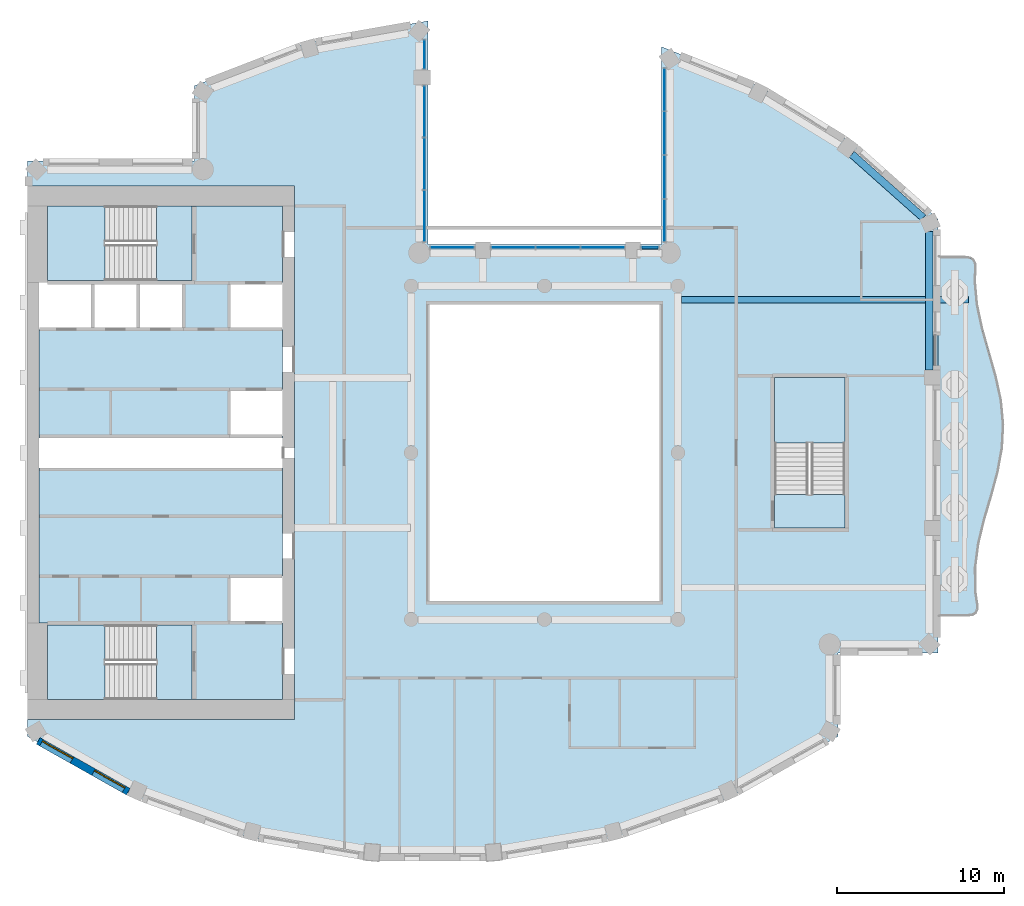
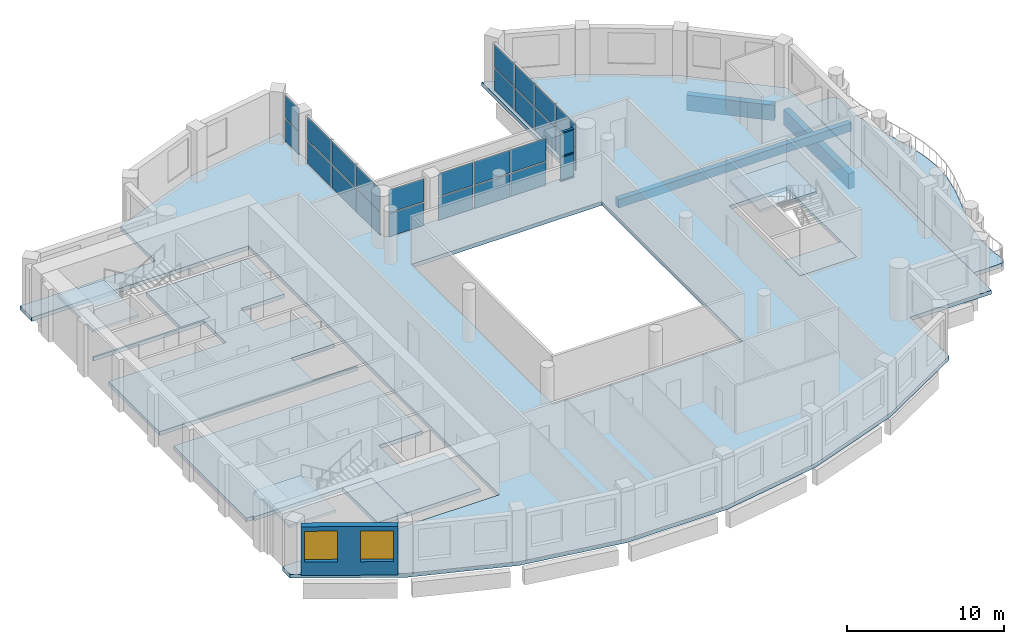
# One storey, part 3 of 14: 26 plates, 10 slabs, 3 beams, 3 members, 2 windows, 1 wall, 2 openings, 9 elements without a shape of their own.
"""IFC4 building model written with IfcOpenShell, lengths in metres."""

from ifc_helpers import new_model, si_unit, direction, frame, frame_2d, origin, origin_2d, place, context, subcontext, project, spatial, polyline, rectangle, outline, extrude, material, layer, layer_set, material_profile, profile_set, type_object, element, fill, aggregate, save


model = new_model("IFC4")

# Units and contexts
model_context = context("Model", 3, precision=1e-05, world=origin(), true_north=direction((0.0, 1.0)))
body_context = subcontext(model_context, "Body", "Model", "MODEL_VIEW")
ifc_project = project(units=[si_unit("LENGTHUNIT", "METRE"), si_unit("AREAUNIT", "SQUARE_METRE"), si_unit("VOLUMEUNIT", "CUBIC_METRE"), si_unit("PLANEANGLEUNIT", "RADIAN"), si_unit("MASSUNIT", "GRAM", prefix="KILO")], contexts=[model_context])

# Site, building, storey
site_placement = place(None, origin())
site = spatial("IfcSite", under=ifc_project, at=site_placement, CompositionType="ELEMENT")
building_placement = place(site_placement, origin())
building = spatial("IfcBuilding", under=site, at=building_placement, Name="Cypress Arch Tower", CompositionType="ELEMENT")
storey_placement = place(building_placement, frame((0.0, 0.0, 255.699951171875)))
storey = spatial("IfcBuildingStorey", under=building, at=storey_placement, Name="L57", CompositionType="ELEMENT", Elevation=255.699951171875)

# Beams
ifc_material_1 = material(Name="Concrete C50/60", Category="concrete")
ifc_material_profile_1 = material_profile(ifc_material_1, rectangle(XDim=0.39990234375, YDim=0.64990234375, at=origin_2d()), Name="RC 400x650")
ifc_profile_set_1 = profile_set([ifc_material_profile_1], Name="Concrete C50/60")
beam_type_1 = type_object("IfcBeamType", Name="Cantilever beam RC 400x650 Concrete C50/60", PredefinedType="BEAM", material=ifc_profile_set_1)
beam_1_placement = place(storey_placement, frame((9.22509765625, 9.1826171875, -0.625), z_axis=(1.0, 0.0, 0.0), x_axis=(0.0, 1.0, 0.0)))
element("IfcBeam", 1, at=beam_1_placement, inside=storey, type_object=beam_type_1, Name="Cantilever beam L57 C17 2", PredefinedType="BEAM", context=body_context, shape_type="SweptSolid", body=[
    extrude(rectangle(XDim=0.39990234375, YDim=0.64990234375, at=origin_2d()), origin(), (0.0, 0.0, 1.0), 17.179443359375),
])
ifc_material_2 = material(Name="Concrete C50/60", Category="concrete")
ifc_material_profile_2 = material_profile(ifc_material_2, rectangle(XDim=0.449951171875, YDim=1.199951171875, at=origin_2d()), Name="RC 450x1200")
ifc_profile_set_2 = profile_set([ifc_material_profile_2], Name="Concrete C50/60")
beam_type_2 = type_object("IfcBeamType", Name="Spandrel beam RC 450x1200 Concrete C50/60", PredefinedType="SPANDREL", material=ifc_profile_set_2)
beam_2_placement = place(storey_placement, frame((24.074951171875, 4.949951171875, -1.550048828125), z_axis=(0.0, 1.0, 0.0), x_axis=(-1.0, 0.0, 0.0)))
element("IfcBeam", 2, at=beam_2_placement, inside=storey, type_object=beam_type_2, Name="Spandrel beam L57 BC17-2", PredefinedType="SPANDREL", context=body_context, shape_type="SweptSolid", body=[
    extrude(rectangle(XDim=0.449951171875, YDim=1.199951171875, at=origin_2d()), origin(), (0.0, 0.0, 1.0), 8.32080078125),
])
beam_3_placement = place(storey_placement, frame((23.706298828125, 14.091796875, -1.550048828125), z_axis=(-0.747555073917, 0.664199827959, 0.0), x_axis=(-0.664199827959, -0.747555073917, 0.0)))
element("IfcBeam", 3, at=beam_3_placement, inside=storey, type_object=beam_type_2, Name="Spandrel beam L57 BC18-0", PredefinedType="SPANDREL", context=body_context, shape_type="SweptSolid", body=[
    extrude(rectangle(XDim=0.449951171875, YDim=1.199951171875, at=origin_2d()), origin(), (0.0, 0.0, 1.0), 5.72900390625),
])

# Curtain wall, members
ifc_material_3 = material(Name="Anodised aluminium, bronze finish, clear laminated double glazing", Category="aluminium")
curtain_wall_type = type_object("IfcCurtainWallType", Name="Curtain wall CW7 slot glazing", PredefinedType="NOTDEFINED", material=ifc_material_3)
curtain_wall_1_placement = place(storey_placement, origin())
curtain_wall_1 = element("IfcCurtainWall", 4, at=curtain_wall_1_placement, inside=storey, type_object=curtain_wall_type, Name="Curtain wall L57 slot C01.0", PredefinedType="NOTDEFINED")
ifc_material_4 = material(Name="Anodised aluminium, bronze finish", Category="aluminium")
ifc_material_profile_3 = material_profile(ifc_material_4, rectangle(XDim=0.179931640625, YDim=0.0849609375, at=origin_2d()), Name="Transom 85x180")
ifc_profile_set_3 = profile_set([ifc_material_profile_3], Name="Anodised aluminium, bronze finish")
member_type = type_object("IfcMemberType", Name="Transom CW7 85x180", PredefinedType="USERDEFINED", material=ifc_profile_set_3)
member_1_placement = place(storey_placement, frame((7.8134765625, 12.300048828125, 0.04248046875), z_axis=(-1.0, 0.0, 0.0), x_axis=(0.0, -1.0, 0.0)))
member_1 = element("IfcMember", 5, at=member_1_placement, type_object=member_type, Name="CW7 transom 1.1", ObjectType="TRANSOM", PredefinedType="USERDEFINED", context=body_context, shape_type="SweptSolid", body=[
    extrude(rectangle(XDim=0.179931640625, YDim=0.0849609375, at=origin_2d()), origin(), (0.0, 0.0, 1.0), 0.978515625),
])
member_2_placement = place(storey_placement, frame((7.8134765625, 12.300048828125, 1.900146484375), z_axis=(-1.0, 0.0, 0.0), x_axis=(0.0, -1.0, 0.0)))
member_2 = element("IfcMember", 6, at=member_2_placement, type_object=member_type, Name="CW7 transom 1.2", ObjectType="TRANSOM", PredefinedType="USERDEFINED", context=body_context, shape_type="SweptSolid", body=[
    extrude(rectangle(XDim=0.179931640625, YDim=0.0849609375, at=origin_2d()), origin(), (0.0, 0.0, 1.0), 0.978515625),
])
member_3_placement = place(storey_placement, frame((7.8134765625, 12.300048828125, 3.757568359375), z_axis=(-1.0, 0.0, 0.0), x_axis=(0.0, -1.0, 0.0)))
member_3 = element("IfcMember", 7, at=member_3_placement, type_object=member_type, Name="CW7 transom 1.3", ObjectType="TRANSOM", PredefinedType="USERDEFINED", context=body_context, shape_type="SweptSolid", body=[
    extrude(rectangle(XDim=0.179931640625, YDim=0.0849609375, at=origin_2d()), origin(), (0.0, 0.0, 1.0), 0.978515625),
])

# Slabs
ifc_material_5 = material(Name="Concrete C40/50", Category="concrete")
ifc_layer_1 = layer(ifc_material_5, 0.300048828125)
ifc_layer_set_1 = layer_set([ifc_layer_1], Name="Balcony slab BS300")
slab_type_1 = type_object("IfcSlabType", Name="Balcony slab BS300", PredefinedType="USERDEFINED", material=ifc_layer_set_1)
slab_1_placement = place(storey_placement, frame((0.0, 0.0, -0.300048828125)))
element("IfcSlab", 8, at=slab_1_placement, inside=storey, type_object=slab_type_1, Name="Balcony slab L57-C17", ObjectType="BALCONY SLAB", PredefinedType="USERDEFINED", context=body_context, shape_type="SweptSolid", body=[
    extrude(outline(polyline([(24.60009765625, -9.75), (26.396728515625, -9.75), (26.676025390625, -9.709716796875), (26.86181640625, -9.5888671875), (26.953857421875, -9.38720703125), (26.952392578125, -9.10498046875), (26.834228515625, -8.316650390625), (26.819580078125, -6.88330078125), (27.008544921875, -5.449951171875), (27.354736328125, -4.0166015625), (27.773193359375, -2.583251953125), (28.16162109375, -1.14990234375), (28.424560546875, 0.283447265625), (28.49755859375, 1.716552734375), (28.36279296875, 3.14990234375), (28.053466796875, 4.583251953125), (27.64501953125, 6.0166015625), (27.23779296875, 7.449951171875), (26.931884765625, 8.88330078125), (26.8017578125, 10.316650390625), (26.844482421875, 11.10498046875), (26.819580078125, 11.38720703125), (26.70947265625, 11.5888671875), (26.51416015625, 11.709716796875), (26.233642578125, 11.75), (24.60009765625, 11.75), (24.60009765625, -9.75)])), origin(), (0.0, 0.0, 1.0), 0.300048828125),
])
ifc_material_6 = material(Name="Concrete C40/50", Category="concrete")
ifc_layer_2 = layer(ifc_material_6, 0.300048828125)
ifc_layer_set_2 = layer_set([ifc_layer_2], Name="Core floor CF300")
slab_type_2 = type_object("IfcSlabType", Name="Core floor CF300", PredefinedType="FLOOR", material=ifc_layer_set_2)
slab_2_placement = place(storey_placement, frame((0.0, 0.0, -0.300048828125)))
element("IfcSlab", 9, at=slab_2_placement, inside=storey, type_object=slab_type_2, Name="Core floor", PredefinedType="FLOOR", context=body_context, shape_type="SweptSolid", body=[
    extrude(outline(polyline([(-28.89990234375, -10.199951171875), (-29.300048828125, -10.199951171875), (-29.300048828125, -0.89990234375), (-28.89990234375, -0.89990234375), (-15.10009765625, -0.89990234375), (-14.699951171875, -0.89990234375), (-14.699951171875, -7.39990234375), (-15.10009765625, -7.39990234375), (-17.919921875, -7.39990234375), (-17.919921875, -10.199951171875), (-15.10009765625, -10.199951171875), (-14.699951171875, -10.199951171875), (-14.699951171875, -14.800048828125), (-15.10009765625, -14.800048828125), (-20.125, -14.800048828125), (-20.125, -10.324951171875), (-22.27490234375, -10.324951171875), (-28.800048828125, -10.324951171875), (-28.800048828125, -10.199951171875), (-28.89990234375, -10.199951171875)])), origin(), (0.0, 0.0, 1.0), 0.300048828125),
])
slab_3_placement = place(storey_placement, frame((0.0, 0.0, -0.300048828125)))
element("IfcSlab", 10, at=slab_3_placement, inside=storey, type_object=slab_type_2, Name="Core floor", PredefinedType="FLOOR", context=body_context, shape_type="SweptSolid", body=[
    extrude(outline(polyline([(-22.27490234375, -10.324951171875), (-22.27490234375, -14.800048828125), (-20.125, -14.800048828125), (-20.125, -10.324951171875), (-22.27490234375, -10.324951171875)])), origin(), (0.0, 0.0, 1.0), 0.300048828125),
])
slab_4_placement = place(storey_placement, frame((0.0, 0.0, -0.300048828125)))
element("IfcSlab", 11, at=slab_4_placement, inside=storey, type_object=slab_type_2, Name="Core floor", PredefinedType="FLOOR", context=body_context, shape_type="SweptSolid", body=[
    extrude(outline(polyline([(-20.125, 14.800048828125), (-22.27490234375, 14.800048828125), (-22.27490234375, 10.324951171875), (-20.125, 10.324951171875), (-20.125, 14.800048828125)])), origin(), (0.0, 0.0, 1.0), 0.300048828125),
])
slab_5_placement = place(storey_placement, frame((0.0, 0.0, -0.300048828125)))
element("IfcSlab", 12, at=slab_5_placement, inside=storey, type_object=slab_type_2, Name="Stair floor landing", PredefinedType="FLOOR", context=body_context, shape_type="SweptSolid", body=[
    extrude(outline(polyline([(19.0, -4.5), (19.0, -2.5), (14.800048828125, -2.5), (14.800048828125, -4.5), (19.0, -4.5)])), origin(), (0.0, 0.0, 1.0), 0.300048828125),
])
slab_6_placement = place(storey_placement, frame((0.0, 0.0, -0.300048828125)))
element("IfcSlab", 13, at=slab_6_placement, inside=storey, type_object=slab_type_2, Name="Core floor", PredefinedType="FLOOR", context=body_context, shape_type="SweptSolid", body=[
    extrude(outline(polyline([(-20.639892578125, 10.199951171875), (-23.360107421875, 10.199951171875), (-26.080078125, 10.199951171875), (-28.800048828125, 10.199951171875), (-28.800048828125, 10.324951171875), (-22.27490234375, 10.324951171875), (-20.125, 10.324951171875), (-20.125, 14.800048828125), (-15.10009765625, 14.800048828125), (-14.699951171875, 14.800048828125), (-14.699951171875, 10.199951171875), (-15.10009765625, 10.199951171875), (-17.919921875, 10.199951171875), (-17.919921875, 7.39990234375), (-15.10009765625, 7.39990234375), (-14.699951171875, 7.39990234375), (-14.699951171875, 3.800048828125), (-15.10009765625, 3.800048828125), (-17.919921875, 3.800048828125), (-17.919921875, 1.5), (-17.919921875, 1.0), (-17.5, 1.0), (-15.10009765625, 1.0), (-14.699951171875, 1.0), (-14.699951171875, 0.89990234375), (-15.10009765625, 0.89990234375), (-17.5, 0.89990234375), (-18.300048828125, 0.89990234375), (-28.89990234375, 0.89990234375), (-29.300048828125, 0.89990234375), (-29.300048828125, 1.5), (-29.300048828125, 7.39990234375), (-28.89990234375, 7.39990234375), (-26.080078125, 7.39990234375), (-23.360107421875, 7.39990234375), (-20.639892578125, 7.39990234375), (-20.639892578125, 10.199951171875)])), origin(), (0.0, 0.0, 1.0), 0.300048828125),
])

# Curtain wall, plates
curtain_wall_2_placement = place(storey_placement, origin())
curtain_wall_2 = element("IfcCurtainWall", 14, at=curtain_wall_2_placement, inside=storey, type_object=curtain_wall_type, Name="Curtain wall L57 slot C00.0", PredefinedType="NOTDEFINED")
ifc_material_7 = material(Name="Clear laminated double glazing", Category="glass")
ifc_layer_3 = layer(ifc_material_7, 0.0439453125)
ifc_layer_set_3 = layer_set([ifc_layer_3], Name="Glass panel CW7 44")
plate_type = type_object("IfcPlateType", Name="Glass panel CW7 44", PredefinedType="CURTAIN_PANEL", material=ifc_layer_set_3)
plate_1_placement = place(storey_placement, frame((8.199951171875, 21.768798828125, 0.0849609375), z_axis=(0.0, 0.0, 1.0), x_axis=(0.0, -1.0, 0.0)))
plate_1 = element("IfcPlate", 15, at=plate_1_placement, type_object=plate_type, Name="CW7 panel 1.1", PredefinedType="CURTAIN_PANEL", context=body_context, shape_type="SweptSolid", body=[
    extrude(rectangle(XDim=2.497802734375, YDim=0.0439453125, at=origin_2d()), origin(), (0.0, 0.0, 1.0), 1.7724609375),
])
plate_2_placement = place(storey_placement, frame((8.199951171875, 21.768798828125, 1.942626953125), z_axis=(0.0, 0.0, 1.0), x_axis=(0.0, -1.0, 0.0)))
plate_2 = element("IfcPlate", 16, at=plate_2_placement, type_object=plate_type, Name="CW7 panel 1.2", PredefinedType="CURTAIN_PANEL", context=body_context, shape_type="SweptSolid", body=[
    extrude(rectangle(XDim=2.497802734375, YDim=0.0439453125, at=origin_2d()), origin(), (0.0, 0.0, 1.0), 1.7724609375),
])
plate_3_placement = place(storey_placement, frame((8.199951171875, 19.164794921875, 0.0849609375), z_axis=(0.0, 0.0, 1.0), x_axis=(0.0, -1.0, 0.0)))
plate_3 = element("IfcPlate", 17, at=plate_3_placement, type_object=plate_type, Name="CW7 panel 2.1", PredefinedType="CURTAIN_PANEL", context=body_context, shape_type="SweptSolid", body=[
    extrude(rectangle(XDim=2.540283203125, YDim=0.0439453125, at=origin_2d()), origin(), (0.0, 0.0, 1.0), 1.7724609375),
])
plate_4_placement = place(storey_placement, frame((8.199951171875, 19.164794921875, 1.942626953125), z_axis=(0.0, 0.0, 1.0), x_axis=(0.0, -1.0, 0.0)))
plate_4 = element("IfcPlate", 18, at=plate_4_placement, type_object=plate_type, Name="CW7 panel 2.2", PredefinedType="CURTAIN_PANEL", context=body_context, shape_type="SweptSolid", body=[
    extrude(rectangle(XDim=2.540283203125, YDim=0.0439453125, at=origin_2d()), origin(), (0.0, 0.0, 1.0), 1.7724609375),
])
plate_5_placement = place(storey_placement, frame((8.199951171875, 16.53955078125, 0.0849609375), z_axis=(0.0, 0.0, 1.0), x_axis=(0.0, -1.0, 0.0)))
plate_5 = element("IfcPlate", 19, at=plate_5_placement, type_object=plate_type, Name="CW7 panel 3.1", PredefinedType="CURTAIN_PANEL", context=body_context, shape_type="SweptSolid", body=[
    extrude(rectangle(XDim=2.540283203125, YDim=0.0439453125, at=origin_2d()), origin(), (0.0, 0.0, 1.0), 1.7724609375),
])
plate_6_placement = place(storey_placement, frame((8.199951171875, 16.53955078125, 1.942626953125), z_axis=(0.0, 0.0, 1.0), x_axis=(0.0, -1.0, 0.0)))
plate_6 = element("IfcPlate", 20, at=plate_6_placement, type_object=plate_type, Name="CW7 panel 3.2", PredefinedType="CURTAIN_PANEL", context=body_context, shape_type="SweptSolid", body=[
    extrude(rectangle(XDim=2.540283203125, YDim=0.0439453125, at=origin_2d()), origin(), (0.0, 0.0, 1.0), 1.7724609375),
])
plate_7_placement = place(storey_placement, frame((8.199951171875, 13.935302734375, 0.0849609375), z_axis=(0.0, 0.0, 1.0), x_axis=(0.0, -1.0, 0.0)))
plate_7 = element("IfcPlate", 21, at=plate_7_placement, type_object=plate_type, Name="CW7 panel 4.1", PredefinedType="CURTAIN_PANEL", context=body_context, shape_type="SweptSolid", body=[
    extrude(rectangle(XDim=2.497802734375, YDim=0.0439453125, at=origin_2d()), origin(), (0.0, 0.0, 1.0), 1.7724609375),
])
plate_8_placement = place(storey_placement, frame((8.199951171875, 13.935302734375, 1.942626953125), z_axis=(0.0, 0.0, 1.0), x_axis=(0.0, -1.0, 0.0)))
plate_8 = element("IfcPlate", 22, at=plate_8_placement, type_object=plate_type, Name="CW7 panel 4.2", PredefinedType="CURTAIN_PANEL", context=body_context, shape_type="SweptSolid", body=[
    extrude(rectangle(XDim=2.497802734375, YDim=0.0439453125, at=origin_2d()), origin(), (0.0, 0.0, 1.0), 1.7724609375),
])
aggregate(curtain_wall_2, [plate_1, plate_2, plate_3, plate_4, plate_5, plate_6, plate_7, plate_8])

# Plate
plate_9_placement = place(storey_placement, frame((7.32421875, 12.300048828125, 0.0849609375), z_axis=(0.0, 0.0, 1.0), x_axis=(-1.0, 0.0, 0.0)))
plate_9 = element("IfcPlate", 23, at=plate_9_placement, type_object=plate_type, Name="CW7 panel 1.1", PredefinedType="CURTAIN_PANEL", context=body_context, shape_type="SweptSolid", body=[
    extrude(rectangle(XDim=0.978515625, YDim=0.0439453125, at=origin_2d()), origin(), (0.0, 0.0, 1.0), 1.7724609375),
])

plate_10_placement = place(storey_placement, frame((7.32421875, 12.300048828125, 1.942626953125), z_axis=(0.0, 0.0, 1.0), x_axis=(-1.0, 0.0, 0.0)))
plate_10 = element("IfcPlate", 24, at=plate_10_placement, type_object=plate_type, Name="CW7 panel 1.2", PredefinedType="CURTAIN_PANEL", context=body_context, shape_type="SweptSolid", body=[
    extrude(rectangle(XDim=0.978515625, YDim=0.0439453125, at=origin_2d()), origin(), (0.0, 0.0, 1.0), 1.7724609375),
])

aggregate(curtain_wall_1, [member_1, member_2, member_3, plate_9, plate_10])

# Curtain wall, plates
curtain_wall_3_placement = place(storey_placement, origin())
curtain_wall_3 = element("IfcCurtainWall", 25, at=curtain_wall_3_placement, inside=storey, type_object=curtain_wall_type, Name="Curtain wall L57 slot C01.1", PredefinedType="NOTDEFINED")
plate_11_placement = place(storey_placement, frame((4.478759765625, 12.300048828125, 0.0849609375), z_axis=(0.0, 0.0, 1.0), x_axis=(-1.0, 0.0, 0.0)))
plate_11 = element("IfcPlate", 26, at=plate_11_placement, type_object=plate_type, Name="CW7 panel 1.1", PredefinedType="CURTAIN_PANEL", context=body_context, shape_type="SweptSolid", body=[
    extrude(rectangle(XDim=2.572509765625, YDim=0.0439453125, at=origin_2d()), origin(), (0.0, 0.0, 1.0), 1.7724609375),
])
plate_12_placement = place(storey_placement, frame((4.478759765625, 12.300048828125, 1.942626953125), z_axis=(0.0, 0.0, 1.0), x_axis=(-1.0, 0.0, 0.0)))
plate_12 = element("IfcPlate", 27, at=plate_12_placement, type_object=plate_type, Name="CW7 panel 1.2", PredefinedType="CURTAIN_PANEL", context=body_context, shape_type="SweptSolid", body=[
    extrude(rectangle(XDim=2.572509765625, YDim=0.0439453125, at=origin_2d()), origin(), (0.0, 0.0, 1.0), 1.7724609375),
])
plate_13_placement = place(storey_placement, frame((1.800048828125, 12.300048828125, 0.0849609375), z_axis=(0.0, 0.0, 1.0), x_axis=(-1.0, 0.0, 0.0)))
plate_13 = element("IfcPlate", 28, at=plate_13_placement, type_object=plate_type, Name="CW7 panel 2.1", PredefinedType="CURTAIN_PANEL", context=body_context, shape_type="SweptSolid", body=[
    extrude(rectangle(XDim=2.614990234375, YDim=0.0439453125, at=origin_2d()), origin(), (0.0, 0.0, 1.0), 1.7724609375),
])
plate_14_placement = place(storey_placement, frame((1.800048828125, 12.300048828125, 1.942626953125), z_axis=(0.0, 0.0, 1.0), x_axis=(-1.0, 0.0, 0.0)))
plate_14 = element("IfcPlate", 29, at=plate_14_placement, type_object=plate_type, Name="CW7 panel 2.2", PredefinedType="CURTAIN_PANEL", context=body_context, shape_type="SweptSolid", body=[
    extrude(rectangle(XDim=2.614990234375, YDim=0.0439453125, at=origin_2d()), origin(), (0.0, 0.0, 1.0), 1.7724609375),
])
plate_15_placement = place(storey_placement, frame((-0.878662109375, 12.300048828125, 0.0849609375), z_axis=(0.0, 0.0, 1.0), x_axis=(-1.0, 0.0, 0.0)))
plate_15 = element("IfcPlate", 30, at=plate_15_placement, type_object=plate_type, Name="CW7 panel 3.1", PredefinedType="CURTAIN_PANEL", context=body_context, shape_type="SweptSolid", body=[
    extrude(rectangle(XDim=2.572509765625, YDim=0.0439453125, at=origin_2d()), origin(), (0.0, 0.0, 1.0), 1.7724609375),
])
plate_16_placement = place(storey_placement, frame((-0.878662109375, 12.300048828125, 1.942626953125), z_axis=(0.0, 0.0, 1.0), x_axis=(-1.0, 0.0, 0.0)))
plate_16 = element("IfcPlate", 31, at=plate_16_placement, type_object=plate_type, Name="CW7 panel 3.2", PredefinedType="CURTAIN_PANEL", context=body_context, shape_type="SweptSolid", body=[
    extrude(rectangle(XDim=2.572509765625, YDim=0.0439453125, at=origin_2d()), origin(), (0.0, 0.0, 1.0), 1.7724609375),
])
aggregate(curtain_wall_3, [plate_11, plate_12, plate_13, plate_14, plate_15, plate_16])

curtain_wall_4_placement = place(storey_placement, origin())
curtain_wall_4 = element("IfcCurtainWall", 32, at=curtain_wall_4_placement, inside=storey, type_object=curtain_wall_type, Name="Curtain wall L57 slot C01.2", PredefinedType="NOTDEFINED")
plate_17_placement = place(storey_placement, frame((-4.524169921875, 12.300048828125, 0.0849609375), z_axis=(0.0, 0.0, 1.0), x_axis=(-1.0, 0.0, 0.0)))
plate_17 = element("IfcPlate", 33, at=plate_17_placement, type_object=plate_type, Name="CW7 panel 1.1", PredefinedType="CURTAIN_PANEL", context=body_context, shape_type="SweptSolid", body=[
    extrude(rectangle(XDim=2.57861328125, YDim=0.0439453125, at=origin_2d()), origin(), (0.0, 0.0, 1.0), 1.7724609375),
])
plate_18_placement = place(storey_placement, frame((-4.524169921875, 12.300048828125, 1.942626953125), z_axis=(0.0, 0.0, 1.0), x_axis=(-1.0, 0.0, 0.0)))
plate_18 = element("IfcPlate", 34, at=plate_18_placement, type_object=plate_type, Name="CW7 panel 1.2", PredefinedType="CURTAIN_PANEL", context=body_context, shape_type="SweptSolid", body=[
    extrude(rectangle(XDim=2.57861328125, YDim=0.0439453125, at=origin_2d()), origin(), (0.0, 0.0, 1.0), 1.7724609375),
])
aggregate(curtain_wall_4, [plate_17, plate_18])

curtain_wall_5_placement = place(storey_placement, origin())
curtain_wall_5 = element("IfcCurtainWall", 35, at=curtain_wall_5_placement, inside=storey, type_object=curtain_wall_type, Name="Curtain wall L57 slot C02.0", PredefinedType="NOTDEFINED")
plate_19_placement = place(storey_placement, frame((-6.199951171875, 14.197509765625, 0.0849609375), z_axis=(0.0, 0.0, 1.0), x_axis=(0.0, 1.0, 0.0)))
plate_19 = element("IfcPlate", 36, at=plate_19_placement, type_object=plate_type, Name="CW7 panel 1.1", PredefinedType="CURTAIN_PANEL", context=body_context, shape_type="SweptSolid", body=[
    extrude(rectangle(XDim=3.02197265625, YDim=0.0439453125, at=origin_2d()), origin(), (0.0, 0.0, 1.0), 1.7724609375),
])
plate_20_placement = place(storey_placement, frame((-6.199951171875, 14.197509765625, 1.942626953125), z_axis=(0.0, 0.0, 1.0), x_axis=(0.0, 1.0, 0.0)))
plate_20 = element("IfcPlate", 37, at=plate_20_placement, type_object=plate_type, Name="CW7 panel 1.2", PredefinedType="CURTAIN_PANEL", context=body_context, shape_type="SweptSolid", body=[
    extrude(rectangle(XDim=3.02197265625, YDim=0.0439453125, at=origin_2d()), origin(), (0.0, 0.0, 1.0), 1.7724609375),
])
plate_21_placement = place(storey_placement, frame((-6.199951171875, 17.32568359375, 0.0849609375), z_axis=(0.0, 0.0, 1.0), x_axis=(0.0, 1.0, 0.0)))
plate_21 = element("IfcPlate", 38, at=plate_21_placement, type_object=plate_type, Name="CW7 panel 2.1", PredefinedType="CURTAIN_PANEL", context=body_context, shape_type="SweptSolid", body=[
    extrude(rectangle(XDim=3.064453125, YDim=0.0439453125, at=origin_2d()), origin(), (0.0, 0.0, 1.0), 1.7724609375),
])
plate_22_placement = place(storey_placement, frame((-6.199951171875, 17.32568359375, 1.942626953125), z_axis=(0.0, 0.0, 1.0), x_axis=(0.0, 1.0, 0.0)))
plate_22 = element("IfcPlate", 39, at=plate_22_placement, type_object=plate_type, Name="CW7 panel 2.2", PredefinedType="CURTAIN_PANEL", context=body_context, shape_type="SweptSolid", body=[
    extrude(rectangle(XDim=3.064453125, YDim=0.0439453125, at=origin_2d()), origin(), (0.0, 0.0, 1.0), 1.7724609375),
])
plate_23_placement = place(storey_placement, frame((-6.199951171875, 20.4541015625, 0.0849609375), z_axis=(0.0, 0.0, 1.0), x_axis=(0.0, 1.0, 0.0)))
plate_23 = element("IfcPlate", 40, at=plate_23_placement, type_object=plate_type, Name="CW7 panel 3.1", PredefinedType="CURTAIN_PANEL", context=body_context, shape_type="SweptSolid", body=[
    extrude(rectangle(XDim=3.02197265625, YDim=0.0439453125, at=origin_2d()), origin(), (0.0, 0.0, 1.0), 1.7724609375),
])
plate_24_placement = place(storey_placement, frame((-6.199951171875, 20.4541015625, 1.942626953125), z_axis=(0.0, 0.0, 1.0), x_axis=(0.0, 1.0, 0.0)))
plate_24 = element("IfcPlate", 41, at=plate_24_placement, type_object=plate_type, Name="CW7 panel 3.2", PredefinedType="CURTAIN_PANEL", context=body_context, shape_type="SweptSolid", body=[
    extrude(rectangle(XDim=3.02197265625, YDim=0.0439453125, at=origin_2d()), origin(), (0.0, 0.0, 1.0), 1.7724609375),
])
aggregate(curtain_wall_5, [plate_19, plate_20, plate_21, plate_22, plate_23, plate_24])

curtain_wall_6_placement = place(storey_placement, origin())
curtain_wall_6 = element("IfcCurtainWall", 42, at=curtain_wall_6_placement, inside=storey, type_object=curtain_wall_type, Name="Curtain wall L57 slot C02.1", PredefinedType="NOTDEFINED")
plate_25_placement = place(storey_placement, frame((-6.199951171875, 23.89111328125, 0.0849609375), z_axis=(0.0, 0.0, 1.0), x_axis=(0.0, 1.0, 0.0)))
plate_25 = element("IfcPlate", 43, at=plate_25_placement, type_object=plate_type, Name="CW7 panel 1.1", PredefinedType="CURTAIN_PANEL", context=body_context, shape_type="SweptSolid", body=[
    extrude(rectangle(XDim=1.71240234375, YDim=0.0439453125, at=origin_2d()), origin(), (0.0, 0.0, 1.0), 1.7724609375),
])
plate_26_placement = place(storey_placement, frame((-6.199951171875, 23.89111328125, 1.942626953125), z_axis=(0.0, 0.0, 1.0), x_axis=(0.0, 1.0, 0.0)))
plate_26 = element("IfcPlate", 44, at=plate_26_placement, type_object=plate_type, Name="CW7 panel 1.2", PredefinedType="CURTAIN_PANEL", context=body_context, shape_type="SweptSolid", body=[
    extrude(rectangle(XDim=1.71240234375, YDim=0.0439453125, at=origin_2d()), origin(), (0.0, 0.0, 1.0), 1.7724609375),
])
aggregate(curtain_wall_6, [plate_25, plate_26])

# Slab
ifc_material_8 = material(Name="Concrete C40/50", Category="concrete")
ifc_layer_4 = layer(ifc_material_8, 0.300048828125)
ifc_layer_set_4 = layer_set([ifc_layer_4], Name="PT flat slab 300 Concrete C40/50")
slab_type_3 = type_object("IfcSlabType", Name="PT flat slab 300 Concrete C40/50", PredefinedType="FLOOR", material=ifc_layer_set_4)
slab_7_placement = place(storey_placement, frame((0.0, 0.0, -0.300048828125)))
element("IfcSlab", 45, at=slab_7_placement, inside=storey, type_object=slab_type_3, Name="Floor slab L57", PredefinedType="FLOOR", context=body_context, shape_type="SweptSolid", body=[
    extrude(outline(polyline([(-30.0, 17.5), (-20.0, 17.5), (-20.0, 22.0), (-13.199951171875, 24.6201171875), (-6.0, 25.889892578125), (-6.0, 12.5), (8.0, 12.5), (8.0, 24.35009765625), (14.0, 21.93994140625), (19.39990234375, 18.6201171875), (24.60009765625, 14.0), (24.60009765625, -12.0), (18.60009765625, -12.0), (18.60009765625, -17.0), (12.179931640625, -20.6201171875), (5.239990234375, -23.090087890625), (-2.02001953125, -24.340087890625), (-9.3798828125, -24.340087890625), (-16.639892578125, -23.090087890625), (-23.580078125, -20.6201171875), (-30.0, -17.0), (-30.0, -16.0), (-14.0, -16.0), (-14.0, 16.0), (-30.0, 16.0), (-30.0, 17.5)]), holes=[polyline([(-6.0, -9.0), (8.0, -9.0), (8.0, 9.0), (-6.0, 9.0), (-6.0, -9.0)]), polyline([(14.800048828125, -4.5), (19.0, -4.5), (19.0, 4.5), (14.800048828125, 4.5), (14.800048828125, -4.5)])]), origin(), (0.0, 0.0, 1.0), 0.300048828125),
])

# Stair, slab
ifc_material_9 = material(Name="Concrete C40/50", Category="concrete")
stair_type_1 = type_object("IfcStairType", Name="Exit stair ES1708-215", PredefinedType="HALF_TURN_STAIR", material=ifc_material_9)
stair_1_placement = place(storey_placement, origin())
stair_1 = element("IfcStair", 46, at=stair_1_placement, inside=storey, type_object=stair_type_1, Name="L57 Exit stair A", PredefinedType="HALF_TURN_STAIR")
ifc_material_10 = material(Name="Concrete C40/50", Category="concrete")
ifc_layer_5 = layer(ifc_material_10, 0.199951171875)
ifc_layer_set_5 = layer_set([ifc_layer_5], Name="Stair landing SL200")
slab_type_4 = type_object("IfcSlabType", Name="Stair landing SL200", PredefinedType="LANDING", material=ifc_layer_set_5)
slab_8_placement = place(storey_placement, frame((0.0, 0.0, 1.85009765625)))
slab_8 = element("IfcSlab", 47, at=slab_8_placement, type_object=slab_type_4, Name="A landing 1", PredefinedType="LANDING", context=body_context, shape_type="SweptSolid", body=[
    extrude(outline(polyline([(-25.35498046875, -10.324951171875), (-28.800048828125, -10.324951171875), (-28.800048828125, -14.800048828125), (-25.35498046875, -14.800048828125), (-25.35498046875, -10.324951171875)])), origin(), (0.0, 0.0, 1.0), 0.199951171875),
])
aggregate(stair_1, [slab_8])

stair_2_placement = place(storey_placement, origin())
stair_2 = element("IfcStair", 48, at=stair_2_placement, inside=storey, type_object=stair_type_1, Name="L57 Exit stair B", PredefinedType="HALF_TURN_STAIR")
slab_9_placement = place(storey_placement, frame((0.0, 0.0, 1.85009765625)))
slab_9 = element("IfcSlab", 49, at=slab_9_placement, type_object=slab_type_4, Name="B landing 1", PredefinedType="LANDING", context=body_context, shape_type="SweptSolid", body=[
    extrude(outline(polyline([(-25.35498046875, 14.800048828125), (-28.800048828125, 14.800048828125), (-28.800048828125, 10.324951171875), (-25.35498046875, 10.324951171875), (-25.35498046875, 14.800048828125)])), origin(), (0.0, 0.0, 1.0), 0.199951171875),
])
aggregate(stair_2, [slab_9])

ifc_material_11 = material(Name="Concrete C40/50", Category="concrete")
stair_type_2 = type_object("IfcStairType", Name="Exit stair ES1708-200", PredefinedType="HALF_TURN_STAIR", material=ifc_material_11)
stair_3_placement = place(storey_placement, origin())
stair_3 = element("IfcStair", 50, at=stair_3_placement, inside=storey, type_object=stair_type_2, Name="L57 Exit stair C", PredefinedType="HALF_TURN_STAIR")
slab_10_placement = place(storey_placement, frame((0.0, 0.0, 1.85009765625)))
slab_10 = element("IfcSlab", 51, at=slab_10_placement, type_object=slab_type_4, Name="C landing 1", PredefinedType="LANDING", context=body_context, shape_type="SweptSolid", body=[
    extrude(outline(polyline([(19.0, 0.580078125), (19.0, 4.5), (14.800048828125, 4.5), (14.800048828125, 0.580078125), (19.0, 0.580078125)])), origin(), (0.0, 0.0, 1.0), 0.199951171875),
])
aggregate(stair_3, [slab_10])

# Wall, openings, windows
ifc_material_12 = material(Name="Brick (red buff blend)", Category="masonry")
ifc_layer_6 = layer(ifc_material_12, 0.449951171875)
ifc_layer_set_6 = layer_set([ifc_layer_6], Name="Brick pier and spandrel wall BW450")
wall_type = type_object("IfcWallType", Name="Brick pier and spandrel wall BW450", PredefinedType="SOLIDWALL", material=ifc_layer_set_6)
wall_placement = place(storey_placement, frame((-29.3564453125, -17.276611328125, 0.0), z_axis=(0.0, 0.0, 1.0), x_axis=(0.871065783524, -0.491166367714, 0.0)))
wall = element("IfcWall", 52, at=wall_placement, inside=storey, type_object=wall_type, Name="Brick wall L57 C08.0", PredefinedType="SOLIDWALL", context=body_context, shape_type="SweptSolid", body=[
    extrude(rectangle(XDim=6.1962890625, YDim=0.449951171875, at=frame_2d((3.09814453125, 0.0))), origin(), (0.0, 0.0, 1.0), 3.800048828125),
])
opening_1_placement = place(wall_placement, frame((0.22119140625, 0.0, 1.050048828125)))
opening_1 = element("IfcOpeningElement", 53, at=opening_1_placement, cuts=wall, Name="Opening W210O", PredefinedType="OPENING", context=body_context, shape_type="SweptSolid", body=[
    extrude(rectangle(XDim=2.10009765625, YDim=2.39990234375, at=frame_2d((1.050048828125, 1.199951171875))), frame((0.0, 0.23486328125, 0.0), z_axis=(0.0, -1.0, 0.0), x_axis=(1.0, 0.0, 0.0)), (0.0, 0.0, 1.0), 0.469970703125),
])
opening_2_placement = place(wall_placement, frame((3.8056640625, 0.0, 1.050048828125)))
opening_2 = element("IfcOpeningElement", 54, at=opening_2_placement, cuts=wall, Name="Opening W210O", PredefinedType="OPENING", context=body_context, shape_type="SweptSolid", body=[
    extrude(rectangle(XDim=2.10009765625, YDim=2.39990234375, at=frame_2d((1.050048828125, 1.199951171875))), frame((0.0, 0.23486328125, 0.0), z_axis=(0.0, -1.0, 0.0), x_axis=(1.0, 0.0, 0.0)), (0.0, 0.0, 1.0), 0.469970703125),
])
ifc_material_13 = material(Name="Anodised aluminium, bronze finish, clear low-emissivity double glazing", Category="aluminium")
window_type = type_object("IfcWindowType", Name="Window Office 2100x2400", PartitioningType="SINGLE_PANEL", PredefinedType="WINDOW", material=ifc_material_13)
window_1_placement = place(opening_1_placement, origin())
window_1 = element("IfcWindow", 55, at=window_1_placement, inside=storey, type_object=window_type, Name="Window L57 C08.0.1", OverallHeight=2.39990234375, OverallWidth=2.10009765625, PartitioningType="SINGLE_PANEL", PredefinedType="WINDOW", context=body_context, shape_type="SweptSolid", body=[
    extrude(rectangle(XDim=2.10009765625, YDim=2.39990234375, at=frame_2d((1.050048828125, 1.199951171875))), frame((0.0, 0.135009765625, 0.0), z_axis=(0.0, -1.0, 0.0), x_axis=(1.0, 0.0, 0.0)), (0.0, 0.0, 1.0), 0.06005859375),
])
fill(opening_1, window_1)
window_2_placement = place(opening_2_placement, origin())
window_2 = element("IfcWindow", 56, at=window_2_placement, inside=storey, type_object=window_type, Name="Window L57 C08.0.2", OverallHeight=2.39990234375, OverallWidth=2.10009765625, PartitioningType="SINGLE_PANEL", PredefinedType="WINDOW", context=body_context, shape_type="SweptSolid", body=[
    extrude(rectangle(XDim=2.10009765625, YDim=2.39990234375, at=frame_2d((1.050048828125, 1.199951171875))), frame((0.0, 0.135009765625, 0.0), z_axis=(0.0, -1.0, 0.0), x_axis=(1.0, 0.0, 0.0)), (0.0, 0.0, 1.0), 0.06005859375),
])
fill(opening_2, window_2)

save(model, "model.ifc")
